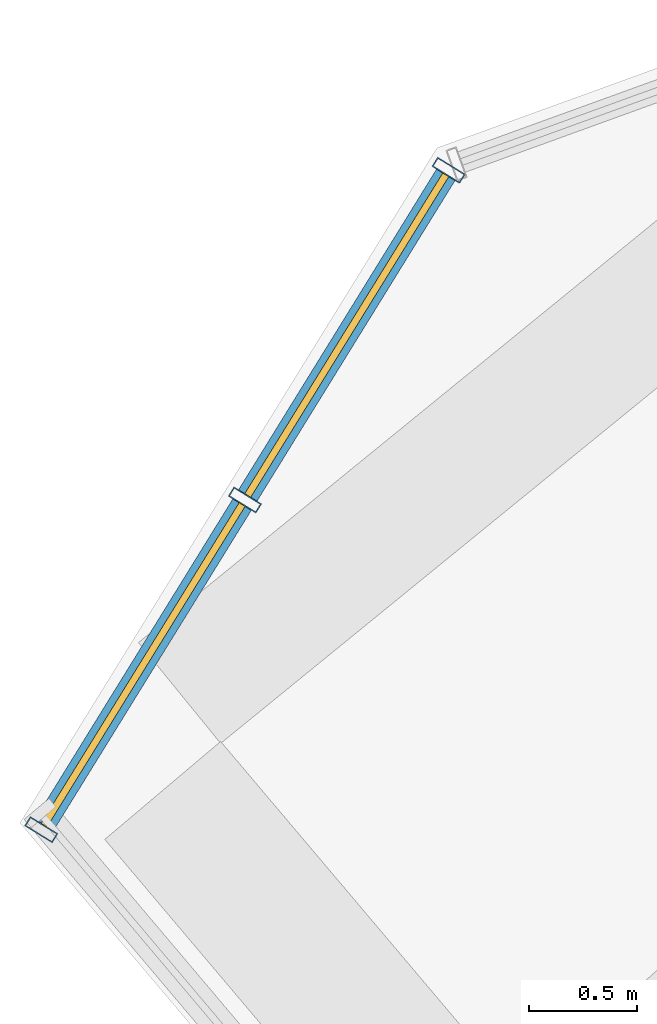
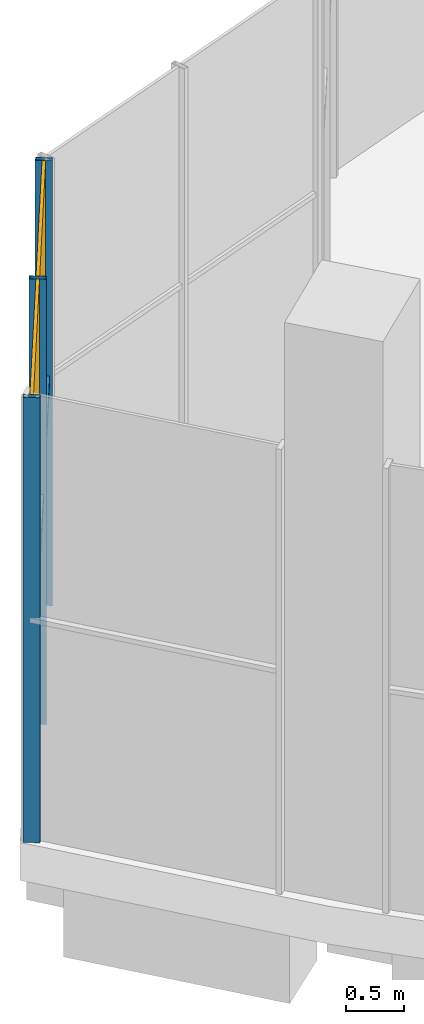
# One storey, part 24 of 41: 5 members, 1 curtain wall.
"""IFC4 building model written with IfcOpenShell, lengths in metres."""

from ifc_helpers import new_model, si_unit, direction, frame, origin, origin_2d, place, context, subcontext, project, spatial, rectangle, hollow_rectangle, extrude, material, material_profile, profile_set, type_object, element, aggregate, save


model = new_model("IFC4")

# Units and contexts
model_context = context("Model", 3, precision=1e-05, world=origin(), true_north=direction((0.0, 1.0)))
body_context = subcontext(model_context, "Body", "Model", "MODEL_VIEW")
ifc_project = project(units=[si_unit("LENGTHUNIT", "METRE"), si_unit("AREAUNIT", "SQUARE_METRE"), si_unit("VOLUMEUNIT", "CUBIC_METRE"), si_unit("PLANEANGLEUNIT", "RADIAN"), si_unit("MASSUNIT", "GRAM", prefix="KILO")], contexts=[model_context])

# Member
ifc_material = material(Name="Steel S355", Category="steel")
ifc_material_profile_1 = material_profile(ifc_material, hollow_rectangle(XDim=0.14990234375, YDim=0.050048828125, WallThickness=0.0048828125, at=origin_2d()))
ifc_profile_set_1 = profile_set([ifc_material_profile_1], Name="Steel S355")
member_type_1 = type_object("IfcMemberType", Name="Mullion RHS 150x50x5 steel S355", PredefinedType="MULLION", material=ifc_profile_set_1)
site_placement = place(None, origin())
building_placement = place(site_placement, origin())
storey_placement = place(building_placement, frame((0.0, 0.0, 284.699951171875)))
member_1_placement = place(storey_placement, frame((-58.768798828125, -46.470703125, 0.0), z_axis=(0.0, 0.0, 1.0), x_axis=(0.850757207442, -0.525558915809, 0.0)))
member_1 = element("IfcMember", 1, at=member_1_placement, type_object=member_type_1, Name="e-cw5-L69-capW5/M00", PredefinedType="MULLION", context=body_context, shape_type="SweptSolid", body=[
    extrude(hollow_rectangle(XDim=0.14990234375, YDim=0.050048828125, WallThickness=0.0048828125, at=origin_2d()), origin(), (0.0, 0.0, 1.0), 4.699951171875),
])

member_2_placement = place(storey_placement, frame((-59.708740234375, -47.992431640625, 0.0), z_axis=(0.0, 0.0, 1.0), x_axis=(0.850757207442, -0.525558915809, 0.0)))
member_2 = element("IfcMember", 2, at=member_2_placement, type_object=member_type_1, Name="e-cw5-L69-capW5/M01", PredefinedType="MULLION", context=body_context, shape_type="SweptSolid", body=[
    extrude(hollow_rectangle(XDim=0.14990234375, YDim=0.050048828125, WallThickness=0.0048828125, at=origin_2d()), origin(), (0.0, 0.0, 1.0), 4.699951171875),
])

member_3_placement = place(storey_placement, frame((-60.648681640625, -49.513916015625, 0.0), z_axis=(0.0, 0.0, 1.0), x_axis=(0.850757207442, -0.525558915809, 0.0)))
member_3 = element("IfcMember", 3, at=member_3_placement, type_object=member_type_1, Name="e-cw5-L69-capW5/M02", PredefinedType="MULLION", context=body_context, shape_type="SweptSolid", body=[
    extrude(hollow_rectangle(XDim=0.14990234375, YDim=0.050048828125, WallThickness=0.0048828125, at=origin_2d()), origin(), (0.0, 0.0, 1.0), 4.699951171875),
])

ifc_material_profile_2 = material_profile(ifc_material, hollow_rectangle(XDim=0.10009765625, YDim=0.050048828125, WallThickness=0.00390625, at=origin_2d()))
ifc_profile_set_2 = profile_set([ifc_material_profile_2], Name="Steel S355")
member_type_2 = type_object("IfcMemberType", Name="Transom RHS 100x50x4 steel S355", PredefinedType="USERDEFINED", material=ifc_profile_set_2)
member_4_placement = place(storey_placement, frame((-58.781982421875, -46.4921875, 2.400146484375), z_axis=(-0.525522779749, -0.850779529588, 0.0), x_axis=(0.850779529588, -0.525522779749, 0.0)))
member_4 = element("IfcMember", 4, at=member_4_placement, type_object=member_type_2, Name="e-cw5-L69-capW5/T00", ObjectType="TRANSOM", PredefinedType="USERDEFINED", context=body_context, shape_type="SweptSolid", body=[
    extrude(hollow_rectangle(XDim=0.10009765625, YDim=0.050048828125, WallThickness=0.00390625, at=origin_2d()), origin(), (0.0, 0.0, 1.0), 1.738525390625),
])

member_5_placement = place(storey_placement, frame((-59.721923828125, -48.013671875, 2.400146484375), z_axis=(-0.525522779749, -0.850779529588, 0.0), x_axis=(0.850779529588, -0.525522779749, 0.0)))
member_5 = element("IfcMember", 5, at=member_5_placement, type_object=member_type_2, Name="e-cw5-L69-capW5/T01", ObjectType="TRANSOM", PredefinedType="USERDEFINED", context=body_context, shape_type="SweptSolid", body=[
    extrude(hollow_rectangle(XDim=0.10009765625, YDim=0.050048828125, WallThickness=0.00390625, at=origin_2d()), origin(), (0.0, 0.0, 1.0), 1.738525390625),
])

# Site, building, storey
site = spatial("IfcSite", under=ifc_project, at=site_placement, CompositionType="ELEMENT")
building = spatial("IfcBuilding", under=site, at=building_placement, Name="Qamariyya Broadcast Tower", CompositionType="ELEMENT")
storey = spatial("IfcBuildingStorey", under=building, at=storey_placement, Name="L69", CompositionType="ELEMENT", Elevation=284.699951171875)

# Curtain wall
curtain_wall_type = type_object("IfcCurtainWallType", Name="Observation gallery all-glass wall, steel mullions", PredefinedType="NOTDEFINED", material=ifc_material)
curtain_wall_placement = place(storey_placement, origin())
curtain_wall = element("IfcCurtainWall", 6, at=curtain_wall_placement, inside=storey, type_object=curtain_wall_type, Name="e-cw5-L69-capW5", PredefinedType="NOTDEFINED", context=body_context, shape_type="SweptSolid", body=[
    extrude(rectangle(XDim=1.738525390625, YDim=0.031982421875, at=origin_2d()), frame((-59.23876953125, -47.2314453125, 0.0), x_axis=(-0.525568830707, -0.850751082391, 0.0)), (0.0, 0.0, 1.0), 2.375),
    extrude(rectangle(XDim=1.738525390625, YDim=0.031982421875, at=origin_2d()), frame((-59.23876953125, -47.2314453125, 2.425048828125), x_axis=(-0.525568830707, -0.850751082391, 0.0)), (0.0, 0.0, 1.0), 2.27490234375),
    extrude(rectangle(XDim=1.738525390625, YDim=0.031982421875, at=origin_2d()), frame((-60.1787109375, -48.753173828125, 0.0), x_axis=(-0.525568830707, -0.850751082391, 0.0)), (0.0, 0.0, 1.0), 2.375),
    extrude(rectangle(XDim=1.738525390625, YDim=0.031982421875, at=origin_2d()), frame((-60.1787109375, -48.753173828125, 2.425048828125), x_axis=(-0.525568830707, -0.850751082391, 0.0)), (0.0, 0.0, 1.0), 2.27490234375),
])

aggregate(curtain_wall, [member_1, member_2, member_3, member_4, member_5])

save(model, "model.ifc")
